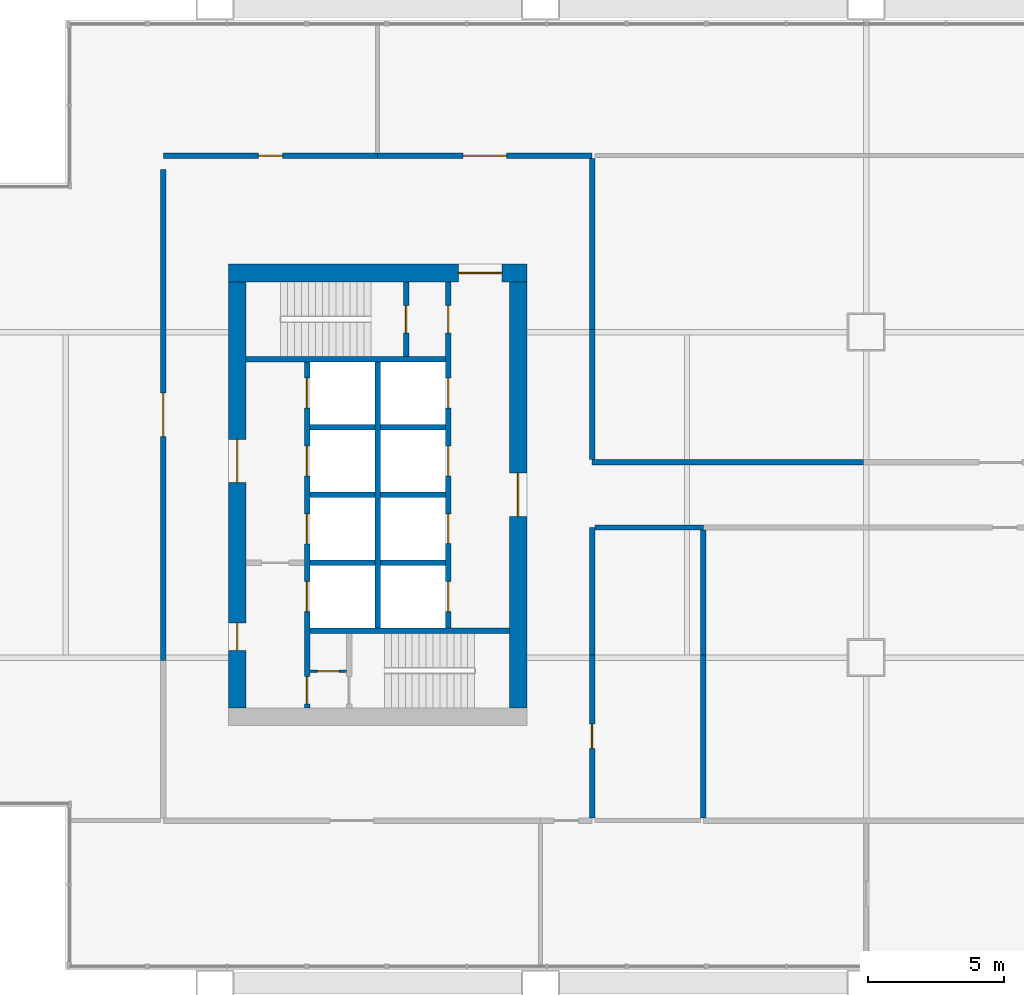
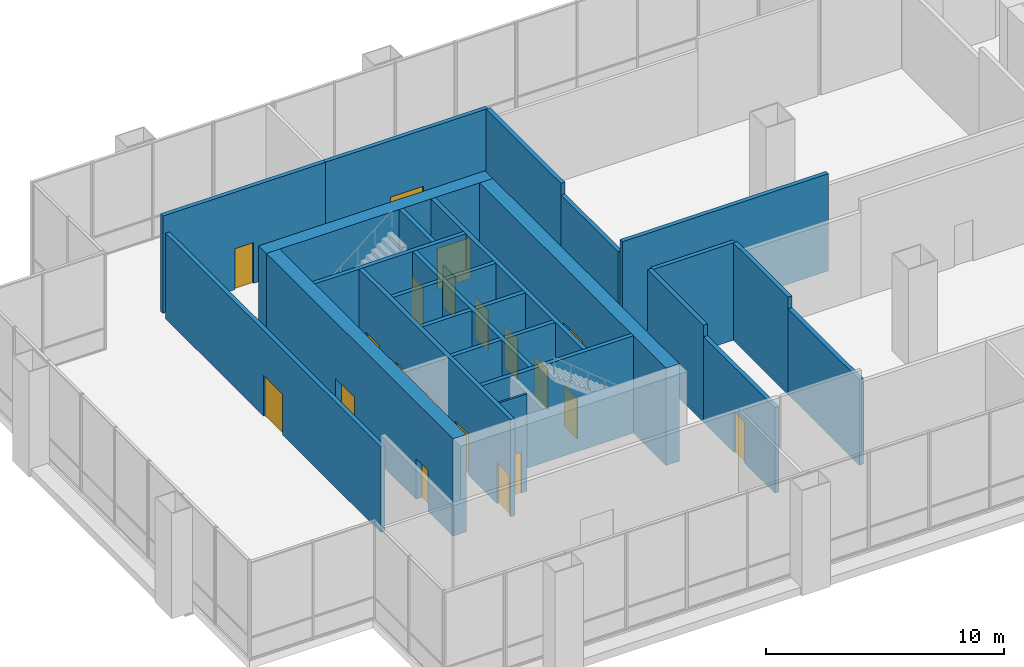
# One storey, part 15 of 20: 27 walls, 20 doors, 20 openings.
"""IFC4 building model written with IfcOpenShell, lengths in metres."""

from ifc_helpers import new_model, si_unit, direction, frame, frame_2d, origin, place, context, subcontext, project, spatial, rectangle, extrude, material, layer, layer_set, type_object, element, fill, save


model = new_model("IFC4")

# Units and contexts
model_context = context("Model", 3, precision=1e-05, world=origin(), true_north=direction((0.0, 1.0)))
body_context = subcontext(model_context, "Body", "Model", "MODEL_VIEW")
ifc_project = project(units=[si_unit("LENGTHUNIT", "METRE"), si_unit("AREAUNIT", "SQUARE_METRE"), si_unit("VOLUMEUNIT", "CUBIC_METRE"), si_unit("PLANEANGLEUNIT", "RADIAN"), si_unit("MASSUNIT", "GRAM", prefix="KILO")], contexts=[model_context])

# Site, building, storey
site_placement = place(None, origin())
site = spatial("IfcSite", under=ifc_project, at=site_placement, CompositionType="ELEMENT")
building_placement = place(site_placement, origin())
building = spatial("IfcBuilding", under=site, at=building_placement, Name="Kitamizu Gate Tower and Museum", CompositionType="ELEMENT")
storey_placement = place(building_placement, frame((0.0, 0.0, 148.35009765625)))
storey = spatial("IfcBuildingStorey", under=building, at=storey_placement, Name="L39", CompositionType="ELEMENT", Elevation=148.35009765625)

# Wall, opening, door
ifc_material_1 = material(Name="Concrete Fc60", Category="concrete")
ifc_layer_1 = layer(ifc_material_1, 0.64990234375)
ifc_layer_set_1 = layer_set([ifc_layer_1], Name="Concrete Fc60")
wall_type_1 = type_object("IfcWallType", Name="Core wall 650", PredefinedType="SHEAR", material=ifc_layer_set_1)
wall_1_placement = place(storey_placement, frame((12.5, 38.175048828125, 0.0), z_axis=(0.0, 0.0, 1.0), x_axis=(1.0, 0.0, 0.0)))
wall_1 = element("IfcWall", 1, at=wall_1_placement, inside=storey, type_object=wall_type_1, Name="Core wall WN", PredefinedType="SHEAR", context=body_context, shape_type="SweptSolid", body=[
    extrude(rectangle(XDim=11.0, YDim=0.64990234375, at=frame_2d((5.5, 0.0))), origin(), (0.0, 0.0, 1.0), 5.0),
])
opening_1_placement = place(wall_1_placement, frame((8.47509765625, 0.0, 0.0)))
opening_1 = element("IfcOpeningElement", 2, at=opening_1_placement, cuts=wall_1, Name="Opening L39-026", PredefinedType="OPENING", context=body_context, shape_type="SweptSolid", body=[
    extrude(rectangle(XDim=1.60009765625, YDim=2.10009765625, at=frame_2d((0.800048828125, 1.050048828125))), frame((0.0, 0.3349609375, 0.0), z_axis=(0.0, -1.0, 0.0), x_axis=(1.0, 0.0, 0.0)), (0.0, 0.0, 1.0), 0.669921875),
])
ifc_material_2 = material(Name="Timber door set", Category="wood")
door_type_1 = type_object("IfcDoorType", Name="Entrance door 1600", OperationType="DOUBLE_DOOR_SINGLE_SWING", PredefinedType="DOOR", material=ifc_material_2)
door_1_placement = place(opening_1_placement, origin())
door_1 = element("IfcDoor", 3, at=door_1_placement, inside=storey, type_object=door_type_1, Name="Lobby door L39-026", OperationType="DOUBLE_DOOR_SINGLE_SWING", OverallHeight=2.10009765625, OverallWidth=1.60009765625, PredefinedType="DOOR", context=body_context, shape_type="SweptSolid", body=[
    extrude(rectangle(XDim=1.60009765625, YDim=2.10009765625, at=frame_2d((0.800048828125, 1.050048828125))), frame((0.0, 0.02490234375, 0.0), z_axis=(0.0, -1.0, 0.0), x_axis=(1.0, 0.0, 0.0)), (0.0, 0.0, 1.0), 0.050048828125),
])
fill(opening_1, door_1)

# Wall, openings, doors
wall_2_placement = place(storey_placement, frame((12.824951171875, 22.14990234375, 0.0), z_axis=(0.0, 0.0, 1.0), x_axis=(0.0, 1.0, 0.0)))
wall_2 = element("IfcWall", 4, at=wall_2_placement, inside=storey, type_object=wall_type_1, Name="Core wall WOUT", PredefinedType="SHEAR", context=body_context, shape_type="SweptSolid", body=[
    extrude(rectangle(XDim=15.7001953125, YDim=0.64990234375, at=frame_2d((7.85009765625, 0.0))), origin(), (0.0, 0.0, 1.0), 5.0),
])
opening_2_placement = place(wall_2_placement, frame((8.300048828125, 0.0, 0.0)))
opening_2 = element("IfcOpeningElement", 5, at=opening_2_placement, cuts=wall_2, Name="Opening L39-024", PredefinedType="OPENING", context=body_context, shape_type="SweptSolid", body=[
    extrude(rectangle(XDim=1.60009765625, YDim=2.10009765625, at=frame_2d((0.800048828125, 1.050048828125))), frame((0.0, 0.3349609375, 0.0), z_axis=(0.0, -1.0, 0.0), x_axis=(1.0, 0.0, 0.0)), (0.0, 0.0, 1.0), 0.669921875),
])
opening_3_placement = place(wall_2_placement, frame((2.125, 0.0, 0.0)))
opening_3 = element("IfcOpeningElement", 6, at=opening_3_placement, cuts=wall_2, Name="Opening L39-025", PredefinedType="OPENING", context=body_context, shape_type="SweptSolid", body=[
    extrude(rectangle(XDim=1.0, YDim=2.10009765625, at=frame_2d((0.5, 1.050048828125))), frame((0.0, 0.3349609375, 0.0), z_axis=(0.0, -1.0, 0.0), x_axis=(1.0, 0.0, 0.0)), (0.0, 0.0, 1.0), 0.669921875),
])
door_2_placement = place(opening_2_placement, origin())
door_2 = element("IfcDoor", 7, at=door_2_placement, inside=storey, type_object=door_type_1, Name="Lobby door L39-024", OperationType="DOUBLE_DOOR_SINGLE_SWING", OverallHeight=2.10009765625, OverallWidth=1.60009765625, PredefinedType="DOOR", context=body_context, shape_type="SweptSolid", body=[
    extrude(rectangle(XDim=1.60009765625, YDim=2.10009765625, at=frame_2d((0.800048828125, 1.050048828125))), frame((0.0, 0.02490234375, 0.0), z_axis=(0.0, -1.0, 0.0), x_axis=(1.0, 0.0, 0.0)), (0.0, 0.0, 1.0), 0.050048828125),
])
fill(opening_2, door_2)
ifc_material_3 = material(Name="Hollow metal door set")
door_type_2 = type_object("IfcDoorType", Name="Fire door 1000", OperationType="NOTDEFINED", PredefinedType="DOOR", material=ifc_material_3)
door_3_placement = place(opening_3_placement, frame((1.0, 0.0, 0.0), x_axis=(-1.0, 0.0, 0.0)))
door_3 = element("IfcDoor", 8, at=door_3_placement, inside=storey, type_object=door_type_2, Name="Fire-fighting lobby door L39-025", OperationType="SINGLE_SWING_RIGHT", OverallHeight=2.10009765625, OverallWidth=1.0, PredefinedType="DOOR", context=body_context, shape_type="SweptSolid", body=[
    extrude(rectangle(XDim=1.0, YDim=2.10009765625, at=frame_2d((0.5, 1.050048828125))), frame((0.0, 0.02490234375, 0.0), z_axis=(0.0, -1.0, 0.0), x_axis=(1.0, 0.0, 0.0)), (0.0, 0.0, 1.0), 0.050048828125),
])
fill(opening_3, door_3)

# Wall, opening, door
wall_3_placement = place(storey_placement, frame((23.175048828125, 22.14990234375, 0.0), z_axis=(0.0, 0.0, 1.0), x_axis=(0.0, 1.0, 0.0)))
wall_3 = element("IfcWall", 9, at=wall_3_placement, inside=storey, type_object=wall_type_1, Name="Core wall WARC", PredefinedType="SHEAR", context=body_context, shape_type="SweptSolid", body=[
    extrude(rectangle(XDim=15.7001953125, YDim=0.64990234375, at=frame_2d((7.85009765625, 0.0))), origin(), (0.0, 0.0, 1.0), 5.0),
])
opening_4_placement = place(wall_3_placement, frame((7.050048828125, 0.0, 0.0)))
opening_4 = element("IfcOpeningElement", 10, at=opening_4_placement, cuts=wall_3, Name="Opening L39-027", PredefinedType="OPENING", context=body_context, shape_type="SweptSolid", body=[
    extrude(rectangle(XDim=1.60009765625, YDim=2.10009765625, at=frame_2d((0.800048828125, 1.050048828125))), frame((0.0, 0.3349609375, 0.0), z_axis=(0.0, -1.0, 0.0), x_axis=(1.0, 0.0, 0.0)), (0.0, 0.0, 1.0), 0.669921875),
])
door_4_placement = place(opening_4_placement, origin())
door_4 = element("IfcDoor", 11, at=door_4_placement, inside=storey, type_object=door_type_1, Name="Lobby door L39-027", OperationType="DOUBLE_DOOR_SINGLE_SWING", OverallHeight=2.10009765625, OverallWidth=1.60009765625, PredefinedType="DOOR", context=body_context, shape_type="SweptSolid", body=[
    extrude(rectangle(XDim=1.60009765625, YDim=2.10009765625, at=frame_2d((0.800048828125, 1.050048828125))), frame((0.0, 0.02490234375, 0.0), z_axis=(0.0, -1.0, 0.0), x_axis=(1.0, 0.0, 0.0)), (0.0, 0.0, 1.0), 0.050048828125),
])
fill(opening_4, door_4)

ifc_material_4 = material(Name="Gypsum board on galvanised stud")
ifc_layer_2 = layer(ifc_material_4, 0.10009765625)
ifc_layer_set_2 = layer_set([ifc_layer_2], Name="Gypsum board on galvanised stud")
wall_type_2 = type_object("IfcWallType", Name="Partition 100", PredefinedType="PARTITIONING", material=ifc_layer_set_2)
wall_4_placement = place(storey_placement, frame((15.5, 23.5, 0.0), z_axis=(0.0, 0.0, 1.0), x_axis=(1.0, 0.0, 0.0)))
wall_4 = element("IfcWall", 12, at=wall_4_placement, inside=storey, type_object=wall_type_2, Name="Partition WPZS", PredefinedType="PARTITIONING", context=body_context, shape_type="SweptSolid", body=[
    extrude(rectangle(XDim=1.35009765625, YDim=0.10009765625, at=frame_2d((0.675048828125, 0.0))), origin(), (0.0, 0.0, 1.0), 5.0),
])
opening_5_placement = place(wall_4_placement, frame((0.27490234375, 0.0, 0.0)))
opening_5 = element("IfcOpeningElement", 13, at=opening_5_placement, cuts=wall_4, Name="Opening L39-023", PredefinedType="OPENING", context=body_context, shape_type="SweptSolid", body=[
    extrude(rectangle(XDim=0.800048828125, YDim=2.10009765625, at=frame_2d((0.39990234375, 1.050048828125))), frame((0.0, 0.06005859375, 0.0), z_axis=(0.0, -1.0, 0.0), x_axis=(1.0, 0.0, 0.0)), (0.0, 0.0, 1.0), 0.1201171875),
])
ifc_material_5 = material(Name="Timber door set", Category="wood")
door_type_3 = type_object("IfcDoorType", Name="Cupboard door 800", OperationType="NOTDEFINED", PredefinedType="DOOR", material=ifc_material_5)
door_5_placement = place(opening_5_placement, frame((0.800048828125, 0.0, 0.0), x_axis=(-1.0, 0.0, 0.0)))
door_5 = element("IfcDoor", 14, at=door_5_placement, inside=storey, type_object=door_type_3, Name="Cupboard door L39-023", OperationType="SINGLE_SWING_LEFT", OverallHeight=2.10009765625, OverallWidth=0.800048828125, PredefinedType="DOOR", context=body_context, shape_type="SweptSolid", body=[
    extrude(rectangle(XDim=0.800048828125, YDim=2.10009765625, at=frame_2d((0.39990234375, 1.050048828125))), frame((0.0, 0.02490234375, 0.0), z_axis=(0.0, -1.0, 0.0), x_axis=(1.0, 0.0, 0.0)), (0.0, 0.0, 1.0), 0.050048828125),
])
fill(opening_5, door_5)

ifc_material_6 = material(Name="Gypsum board on galvanised stud")
ifc_layer_3 = layer(ifc_material_6, 0.199951171875)
ifc_layer_set_3 = layer_set([ifc_layer_3], Name="Gypsum board on galvanised stud")
wall_type_3 = type_object("IfcWallType", Name="Partition 200", PredefinedType="PARTITIONING", material=ifc_layer_set_3)
wall_5_placement = place(storey_placement, frame((18.0, 42.5, 0.0), z_axis=(0.0, 0.0, 1.0), x_axis=(-1.0, 0.0, 0.0)))
wall_5 = element("IfcWall", 15, at=wall_5_placement, inside=storey, type_object=wall_type_3, Name="Partition L39-006", PredefinedType="PARTITIONING", context=body_context, shape_type="SweptSolid", body=[
    extrude(rectangle(XDim=7.89990234375, YDim=0.199951171875, at=frame_2d((3.949951171875, 0.0))), origin(), (0.0, 0.0, 1.0), 5.0),
])
opening_6_placement = place(wall_5_placement, frame((3.5, 0.0, 0.0)))
opening_6 = element("IfcOpeningElement", 16, at=opening_6_placement, cuts=wall_5, Name="Opening L39-007", PredefinedType="OPENING", context=body_context, shape_type="SweptSolid", body=[
    extrude(rectangle(XDim=0.89990234375, YDim=2.10009765625, at=frame_2d((0.449951171875, 1.050048828125))), frame((0.0, 0.10986328125, 0.0), z_axis=(0.0, -1.0, 0.0), x_axis=(1.0, 0.0, 0.0)), (0.0, 0.0, 1.0), 0.219970703125),
])
ifc_material_7 = material(Name="Timber door set", Category="wood")
door_type_4 = type_object("IfcDoorType", Name="Room door 900", OperationType="NOTDEFINED", PredefinedType="DOOR", material=ifc_material_7)
door_6_placement = place(opening_6_placement, frame((0.89990234375, 0.0, 0.0), x_axis=(-1.0, 0.0, 0.0)))
door_6 = element("IfcDoor", 17, at=door_6_placement, inside=storey, type_object=door_type_4, Name="Door L39-007", OperationType="SINGLE_SWING_LEFT", OverallHeight=2.10009765625, OverallWidth=0.89990234375, PredefinedType="DOOR", context=body_context, shape_type="SweptSolid", body=[
    extrude(rectangle(XDim=0.89990234375, YDim=2.10009765625, at=frame_2d((0.449951171875, 1.050048828125))), frame((0.0, 0.02490234375, 0.0), z_axis=(0.0, -1.0, 0.0), x_axis=(1.0, 0.0, 0.0)), (0.0, 0.0, 1.0), 0.050048828125),
])
fill(opening_6, door_6)

wall_6_placement = place(storey_placement, frame((25.89990234375, 42.5, 0.0), z_axis=(0.0, 0.0, 1.0), x_axis=(-1.0, 0.0, 0.0)))
wall_6 = element("IfcWall", 18, at=wall_6_placement, inside=storey, type_object=wall_type_3, Name="Partition L39-007", PredefinedType="PARTITIONING", context=body_context, shape_type="SweptSolid", body=[
    extrude(rectangle(XDim=7.89990234375, YDim=0.199951171875, at=frame_2d((3.949951171875, 0.0))), origin(), (0.0, 0.0, 1.0), 5.0),
])
opening_7_placement = place(wall_6_placement, frame((3.14990234375, 0.0, 0.0)))
opening_7 = element("IfcOpeningElement", 19, at=opening_7_placement, cuts=wall_6, Name="Opening L39-008", PredefinedType="OPENING", context=body_context, shape_type="SweptSolid", body=[
    extrude(rectangle(XDim=1.60009765625, YDim=2.10009765625, at=frame_2d((0.800048828125, 1.050048828125))), frame((0.0, 0.10986328125, 0.0), z_axis=(0.0, -1.0, 0.0), x_axis=(1.0, 0.0, 0.0)), (0.0, 0.0, 1.0), 0.219970703125),
])
ifc_material_8 = material(Name="Timber door set", Category="wood")
door_type_5 = type_object("IfcDoorType", Name="Double door 1600", OperationType="DOUBLE_DOOR_SINGLE_SWING", PredefinedType="DOOR", material=ifc_material_8)
door_7_placement = place(opening_7_placement, origin())
door_7 = element("IfcDoor", 20, at=door_7_placement, inside=storey, type_object=door_type_5, Name="Double door L39-008", OperationType="DOUBLE_DOOR_SINGLE_SWING", OverallHeight=2.10009765625, OverallWidth=1.60009765625, PredefinedType="DOOR", context=body_context, shape_type="SweptSolid", body=[
    extrude(rectangle(XDim=1.60009765625, YDim=2.10009765625, at=frame_2d((0.800048828125, 1.050048828125))), frame((0.0, 0.02490234375, 0.0), z_axis=(0.0, -1.0, 0.0), x_axis=(1.0, 0.0, 0.0)), (0.0, 0.0, 1.0), 0.050048828125),
])
fill(opening_7, door_7)

wall_7_placement = place(storey_placement, frame((10.10009765625, 42.0, 0.0), z_axis=(0.0, 0.0, 1.0), x_axis=(0.0, -1.0, 0.0)))
wall_7 = element("IfcWall", 21, at=wall_7_placement, inside=storey, type_object=wall_type_3, Name="Partition L39-011", PredefinedType="PARTITIONING", context=body_context, shape_type="SweptSolid", body=[
    extrude(rectangle(XDim=18.10009765625, YDim=0.199951171875, at=frame_2d((9.050048828125, 0.0))), origin(), (0.0, 0.0, 1.0), 4.39990234375),
])
opening_8_placement = place(wall_7_placement, frame((8.25, 0.0, 0.0)))
opening_8 = element("IfcOpeningElement", 22, at=opening_8_placement, cuts=wall_7, Name="Opening L39-012", PredefinedType="OPENING", context=body_context, shape_type="SweptSolid", body=[
    extrude(rectangle(XDim=1.60009765625, YDim=2.10009765625, at=frame_2d((0.800048828125, 1.050048828125))), frame((0.0, 0.10986328125, 0.0), z_axis=(0.0, -1.0, 0.0), x_axis=(1.0, 0.0, 0.0)), (0.0, 0.0, 1.0), 0.219970703125),
])
door_8_placement = place(opening_8_placement, origin())
door_8 = element("IfcDoor", 23, at=door_8_placement, inside=storey, type_object=door_type_5, Name="Double door L39-012", OperationType="DOUBLE_DOOR_SINGLE_SWING", OverallHeight=2.10009765625, OverallWidth=1.60009765625, PredefinedType="DOOR", context=body_context, shape_type="SweptSolid", body=[
    extrude(rectangle(XDim=1.60009765625, YDim=2.10009765625, at=frame_2d((0.800048828125, 1.050048828125))), frame((0.0, 0.02490234375, 0.0), z_axis=(0.0, -1.0, 0.0), x_axis=(1.0, 0.0, 0.0)), (0.0, 0.0, 1.0), 0.050048828125),
])
fill(opening_8, door_8)

wall_8_placement = place(storey_placement, frame((25.89990234375, 18.10009765625, 0.0), z_axis=(0.0, 0.0, 1.0), x_axis=(0.0, 1.0, 0.0)))
wall_8 = element("IfcWall", 24, at=wall_8_placement, inside=storey, type_object=wall_type_3, Name="Partition L39-015", PredefinedType="PARTITIONING", context=body_context, shape_type="SweptSolid", body=[
    extrude(rectangle(XDim=6.0, YDim=0.199951171875, at=frame_2d((3.0, 0.0))), origin(), (0.0, 0.0, 1.0), 4.39990234375),
])
opening_9_placement = place(wall_8_placement, frame((2.550048828125, 0.0, 0.0)))
opening_9 = element("IfcOpeningElement", 25, at=opening_9_placement, cuts=wall_8, Name="Opening L39-015", PredefinedType="OPENING", context=body_context, shape_type="SweptSolid", body=[
    extrude(rectangle(XDim=0.89990234375, YDim=2.10009765625, at=frame_2d((0.449951171875, 1.050048828125))), frame((0.0, 0.10986328125, 0.0), z_axis=(0.0, -1.0, 0.0), x_axis=(1.0, 0.0, 0.0)), (0.0, 0.0, 1.0), 0.219970703125),
])
door_9_placement = place(opening_9_placement, frame((0.89990234375, 0.0, 0.0), x_axis=(-1.0, 0.0, 0.0)))
door_9 = element("IfcDoor", 26, at=door_9_placement, inside=storey, type_object=door_type_4, Name="Door L39-015", OperationType="SINGLE_SWING_LEFT", OverallHeight=2.10009765625, OverallWidth=0.89990234375, PredefinedType="DOOR", context=body_context, shape_type="SweptSolid", body=[
    extrude(rectangle(XDim=0.89990234375, YDim=2.10009765625, at=frame_2d((0.449951171875, 1.050048828125))), frame((0.0, 0.02490234375, 0.0), z_axis=(0.0, -1.0, 0.0), x_axis=(1.0, 0.0, 0.0)), (0.0, 0.0, 1.0), 0.050048828125),
])
fill(opening_9, door_9)

# Walls
wall_9_placement = place(storey_placement, frame((25.89990234375, 24.10009765625, 0.0), z_axis=(0.0, 0.0, 1.0), x_axis=(0.0, 1.0, 0.0)))
element("IfcWall", 27, at=wall_9_placement, inside=storey, type_object=wall_type_3, Name="Partition L39-016", PredefinedType="PARTITIONING", context=body_context, shape_type="SweptSolid", body=[
    extrude(rectangle(XDim=4.699951171875, YDim=0.199951171875, at=frame_2d((2.35009765625, 0.0))), origin(), (0.0, 0.0, 1.0), 5.0),
])
wall_10_placement = place(storey_placement, frame((26.0, 28.800048828125, 0.0), z_axis=(0.0, 0.0, 1.0), x_axis=(1.0, 0.0, 0.0)))
element("IfcWall", 28, at=wall_10_placement, inside=storey, type_object=wall_type_3, Name="Partition L39-017", PredefinedType="PARTITIONING", context=body_context, shape_type="SweptSolid", body=[
    extrude(rectangle(XDim=4.0, YDim=0.199951171875, at=frame_2d((2.0, 0.0))), origin(), (0.0, 0.0, 1.0), 5.0),
])
wall_11_placement = place(storey_placement, frame((35.89990234375, 31.199951171875, 0.0), z_axis=(0.0, 0.0, 1.0), x_axis=(-1.0, 0.0, 0.0)))
element("IfcWall", 29, at=wall_11_placement, inside=storey, type_object=wall_type_3, Name="Partition L39-025", PredefinedType="PARTITIONING", context=body_context, shape_type="SweptSolid", body=[
    extrude(rectangle(XDim=10.0, YDim=0.199951171875, at=frame_2d((5.0, 0.0))), origin(), (0.0, 0.0, 1.0), 5.0),
])
wall_12_placement = place(storey_placement, frame((25.89990234375, 31.300048828125, 0.0), z_axis=(0.0, 0.0, 1.0), x_axis=(0.0, 1.0, 0.0)))
element("IfcWall", 30, at=wall_12_placement, inside=storey, type_object=wall_type_3, Name="Partition L39-026", PredefinedType="PARTITIONING", context=body_context, shape_type="SweptSolid", body=[
    extrude(rectangle(XDim=4.800048828125, YDim=0.199951171875, at=frame_2d((2.39990234375, 0.0))), origin(), (0.0, 0.0, 1.0), 4.39990234375),
])
wall_13_placement = place(storey_placement, frame((25.89990234375, 36.10009765625, 0.0), z_axis=(0.0, 0.0, 1.0), x_axis=(0.0, 1.0, 0.0)))
element("IfcWall", 31, at=wall_13_placement, inside=storey, type_object=wall_type_3, Name="Partition L39-027", PredefinedType="PARTITIONING", context=body_context, shape_type="SweptSolid", body=[
    extrude(rectangle(XDim=6.2998046875, YDim=0.199951171875, at=frame_2d((3.14990234375, 0.0))), origin(), (0.0, 0.0, 1.0), 5.0),
])
wall_14_placement = place(storey_placement, frame((30.0, 18.10009765625, 0.0), z_axis=(0.0, 0.0, 1.0), x_axis=(0.0, 1.0, 0.0)))
element("IfcWall", 32, at=wall_14_placement, inside=storey, type_object=wall_type_3, Name="Partition L39-048", PredefinedType="PARTITIONING", context=body_context, shape_type="SweptSolid", body=[
    extrude(rectangle(XDim=6.0, YDim=0.199951171875, at=frame_2d((3.0, 0.0))), origin(), (0.0, 0.0, 1.0), 4.39990234375),
])
wall_15_placement = place(storey_placement, frame((30.0, 24.10009765625, 0.0), z_axis=(0.0, 0.0, 1.0), x_axis=(0.0, 1.0, 0.0)))
element("IfcWall", 33, at=wall_15_placement, inside=storey, type_object=wall_type_3, Name="Partition L39-049", PredefinedType="PARTITIONING", context=body_context, shape_type="SweptSolid", body=[
    extrude(rectangle(XDim=4.599853515625, YDim=0.199951171875, at=frame_2d((2.2998046875, 0.0))), origin(), (0.0, 0.0, 1.0), 5.0),
])

# Wall, openings, doors
ifc_material_9 = material(Name="Concrete Fc42", Category="concrete")
ifc_layer_4 = layer(ifc_material_9, 0.199951171875)
ifc_layer_set_4 = layer_set([ifc_layer_4], Name="Concrete Fc42")
wall_type_4 = type_object("IfcWallType", Name="Shaft wall 200", PredefinedType="SOLIDWALL", material=ifc_layer_set_4)
wall_16_placement = place(storey_placement, frame((15.39990234375, 22.14990234375, 0.0), z_axis=(0.0, 0.0, 1.0), x_axis=(0.0, 1.0, 0.0)))
wall_16 = element("IfcWall", 34, at=wall_16_placement, inside=storey, type_object=wall_type_4, Name="Shaft wall WWEST", PredefinedType="SOLIDWALL", context=body_context, shape_type="SweptSolid", body=[
    extrude(rectangle(XDim=12.75, YDim=0.199951171875, at=frame_2d((6.375, 0.0))), origin(), (0.0, 0.0, 1.0), 5.0),
])
opening_10_placement = place(wall_16_placement, frame((3.550048828125, 0.0, 0.0)))
opening_10 = element("IfcOpeningElement", 35, at=opening_10_placement, cuts=wall_16, Name="Opening LD", PredefinedType="OPENING", context=body_context, shape_type="SweptSolid", body=[
    extrude(rectangle(XDim=1.10009765625, YDim=2.10009765625, at=frame_2d((0.550048828125, 1.050048828125))), frame((0.0, 0.10986328125, 0.0), z_axis=(0.0, -1.0, 0.0), x_axis=(1.0, 0.0, 0.0)), (0.0, 0.0, 1.0), 0.219970703125),
])
opening_11_placement = place(wall_16_placement, frame((6.050048828125, 0.0, 0.0)))
opening_11 = element("IfcOpeningElement", 36, at=opening_11_placement, cuts=wall_16, Name="Opening LD", PredefinedType="OPENING", context=body_context, shape_type="SweptSolid", body=[
    extrude(rectangle(XDim=1.10009765625, YDim=2.10009765625, at=frame_2d((0.550048828125, 1.050048828125))), frame((0.0, 0.10986328125, 0.0), z_axis=(0.0, -1.0, 0.0), x_axis=(1.0, 0.0, 0.0)), (0.0, 0.0, 1.0), 0.219970703125),
])
opening_12_placement = place(wall_16_placement, frame((8.550048828125, 0.0, 0.0)))
opening_12 = element("IfcOpeningElement", 37, at=opening_12_placement, cuts=wall_16, Name="Opening LD", PredefinedType="OPENING", context=body_context, shape_type="SweptSolid", body=[
    extrude(rectangle(XDim=1.10009765625, YDim=2.10009765625, at=frame_2d((0.550048828125, 1.050048828125))), frame((0.0, 0.10986328125, 0.0), z_axis=(0.0, -1.0, 0.0), x_axis=(1.0, 0.0, 0.0)), (0.0, 0.0, 1.0), 0.219970703125),
])
opening_13_placement = place(wall_16_placement, frame((11.050048828125, 0.0, 0.0)))
opening_13 = element("IfcOpeningElement", 38, at=opening_13_placement, cuts=wall_16, Name="Opening LD", PredefinedType="OPENING", context=body_context, shape_type="SweptSolid", body=[
    extrude(rectangle(XDim=1.10009765625, YDim=2.10009765625, at=frame_2d((0.550048828125, 1.050048828125))), frame((0.0, 0.10986328125, 0.0), z_axis=(0.0, -1.0, 0.0), x_axis=(1.0, 0.0, 0.0)), (0.0, 0.0, 1.0), 0.219970703125),
])
opening_14_placement = place(wall_16_placement, frame((0.14990234375, 0.0, 0.0)))
opening_14 = element("IfcOpeningElement", 39, at=opening_14_placement, cuts=wall_16, Name="Opening L39-019", PredefinedType="OPENING", context=body_context, shape_type="SweptSolid", body=[
    extrude(rectangle(XDim=1.0, YDim=2.10009765625, at=frame_2d((0.5, 1.050048828125))), frame((0.0, 0.10986328125, 0.0), z_axis=(0.0, -1.0, 0.0), x_axis=(1.0, 0.0, 0.0)), (0.0, 0.0, 1.0), 0.219970703125),
])
door_10_placement = place(opening_14_placement, frame((1.0, 0.0, 0.0), x_axis=(-1.0, 0.0, 0.0)))
door_10 = element("IfcDoor", 40, at=door_10_placement, inside=storey, type_object=door_type_2, Name="Stair lobby door L39-019", OperationType="SINGLE_SWING_LEFT", OverallHeight=2.10009765625, OverallWidth=1.0, PredefinedType="DOOR", context=body_context, shape_type="SweptSolid", body=[
    extrude(rectangle(XDim=1.0, YDim=2.10009765625, at=frame_2d((0.5, 1.050048828125))), frame((0.0, 0.02490234375, 0.0), z_axis=(0.0, -1.0, 0.0), x_axis=(1.0, 0.0, 0.0)), (0.0, 0.0, 1.0), 0.050048828125),
])
fill(opening_14, door_10)
ifc_material_10 = material(Name="Hollow metal door set")
door_type_6 = type_object("IfcDoorType", Name="Landing door 1100", OperationType="SLIDING_TO_LEFT", PredefinedType="DOOR", material=ifc_material_10)
door_11_placement = place(opening_10_placement, origin())
door_11 = element("IfcDoor", 41, at=door_11_placement, inside=storey, type_object=door_type_6, Name="Landing door WFF1", OperationType="SLIDING_TO_LEFT", OverallHeight=2.10009765625, OverallWidth=1.10009765625, PredefinedType="DOOR", context=body_context, shape_type="SweptSolid", body=[
    extrude(rectangle(XDim=1.10009765625, YDim=2.10009765625, at=frame_2d((0.550048828125, 1.050048828125))), frame((0.0, 0.02490234375, 0.0), z_axis=(0.0, -1.0, 0.0), x_axis=(1.0, 0.0, 0.0)), (0.0, 0.0, 1.0), 0.050048828125),
])
fill(opening_10, door_11)
door_12_placement = place(opening_11_placement, origin())
door_12 = element("IfcDoor", 42, at=door_12_placement, inside=storey, type_object=door_type_6, Name="Landing door WL1", OperationType="SLIDING_TO_LEFT", OverallHeight=2.10009765625, OverallWidth=1.10009765625, PredefinedType="DOOR", context=body_context, shape_type="SweptSolid", body=[
    extrude(rectangle(XDim=1.10009765625, YDim=2.10009765625, at=frame_2d((0.550048828125, 1.050048828125))), frame((0.0, 0.02490234375, 0.0), z_axis=(0.0, -1.0, 0.0), x_axis=(1.0, 0.0, 0.0)), (0.0, 0.0, 1.0), 0.050048828125),
])
fill(opening_11, door_12)
door_13_placement = place(opening_12_placement, origin())
door_13 = element("IfcDoor", 43, at=door_13_placement, inside=storey, type_object=door_type_6, Name="Landing door WL2", OperationType="SLIDING_TO_LEFT", OverallHeight=2.10009765625, OverallWidth=1.10009765625, PredefinedType="DOOR", context=body_context, shape_type="SweptSolid", body=[
    extrude(rectangle(XDim=1.10009765625, YDim=2.10009765625, at=frame_2d((0.550048828125, 1.050048828125))), frame((0.0, 0.02490234375, 0.0), z_axis=(0.0, -1.0, 0.0), x_axis=(1.0, 0.0, 0.0)), (0.0, 0.0, 1.0), 0.050048828125),
])
fill(opening_12, door_13)
door_14_placement = place(opening_13_placement, origin())
door_14 = element("IfcDoor", 44, at=door_14_placement, inside=storey, type_object=door_type_6, Name="Landing door WL3", OperationType="SLIDING_TO_LEFT", OverallHeight=2.10009765625, OverallWidth=1.10009765625, PredefinedType="DOOR", context=body_context, shape_type="SweptSolid", body=[
    extrude(rectangle(XDim=1.10009765625, YDim=2.10009765625, at=frame_2d((0.550048828125, 1.050048828125))), frame((0.0, 0.02490234375, 0.0), z_axis=(0.0, -1.0, 0.0), x_axis=(1.0, 0.0, 0.0)), (0.0, 0.0, 1.0), 0.050048828125),
])
fill(opening_13, door_14)

wall_17_placement = place(storey_placement, frame((20.60009765625, 25.10009765625, 0.0), z_axis=(0.0, 0.0, 1.0), x_axis=(0.0, 1.0, 0.0)))
wall_17 = element("IfcWall", 45, at=wall_17_placement, inside=storey, type_object=wall_type_4, Name="Shaft wall WEAST", PredefinedType="SOLIDWALL", context=body_context, shape_type="SweptSolid", body=[
    extrude(rectangle(XDim=12.75, YDim=0.199951171875, at=frame_2d((6.375, 0.0))), origin(), (0.0, 0.0, 1.0), 5.0),
])
opening_15_placement = place(wall_17_placement, frame((0.60009765625, 0.0, 0.0)))
opening_15 = element("IfcOpeningElement", 46, at=opening_15_placement, cuts=wall_17, Name="Opening LD", PredefinedType="OPENING", context=body_context, shape_type="SweptSolid", body=[
    extrude(rectangle(XDim=1.10009765625, YDim=2.10009765625, at=frame_2d((0.550048828125, 1.050048828125))), frame((0.0, 0.10986328125, 0.0), z_axis=(0.0, -1.0, 0.0), x_axis=(1.0, 0.0, 0.0)), (0.0, 0.0, 1.0), 0.219970703125),
])
opening_16_placement = place(wall_17_placement, frame((3.10009765625, 0.0, 0.0)))
opening_16 = element("IfcOpeningElement", 47, at=opening_16_placement, cuts=wall_17, Name="Opening LD", PredefinedType="OPENING", context=body_context, shape_type="SweptSolid", body=[
    extrude(rectangle(XDim=1.10009765625, YDim=2.10009765625, at=frame_2d((0.550048828125, 1.050048828125))), frame((0.0, 0.10986328125, 0.0), z_axis=(0.0, -1.0, 0.0), x_axis=(1.0, 0.0, 0.0)), (0.0, 0.0, 1.0), 0.219970703125),
])
opening_17_placement = place(wall_17_placement, frame((5.60009765625, 0.0, 0.0)))
opening_17 = element("IfcOpeningElement", 48, at=opening_17_placement, cuts=wall_17, Name="Opening LD", PredefinedType="OPENING", context=body_context, shape_type="SweptSolid", body=[
    extrude(rectangle(XDim=1.10009765625, YDim=2.10009765625, at=frame_2d((0.550048828125, 1.050048828125))), frame((0.0, 0.10986328125, 0.0), z_axis=(0.0, -1.0, 0.0), x_axis=(1.0, 0.0, 0.0)), (0.0, 0.0, 1.0), 0.219970703125),
])
opening_18_placement = place(wall_17_placement, frame((8.10009765625, 0.0, 0.0)))
opening_18 = element("IfcOpeningElement", 49, at=opening_18_placement, cuts=wall_17, Name="Opening LD", PredefinedType="OPENING", context=body_context, shape_type="SweptSolid", body=[
    extrude(rectangle(XDim=1.10009765625, YDim=2.10009765625, at=frame_2d((0.550048828125, 1.050048828125))), frame((0.0, 0.10986328125, 0.0), z_axis=(0.0, -1.0, 0.0), x_axis=(1.0, 0.0, 0.0)), (0.0, 0.0, 1.0), 0.219970703125),
])
opening_19_placement = place(wall_17_placement, frame((10.875, 0.0, 0.0)))
opening_19 = element("IfcOpeningElement", 50, at=opening_19_placement, cuts=wall_17, Name="Opening L39-020", PredefinedType="OPENING", context=body_context, shape_type="SweptSolid", body=[
    extrude(rectangle(XDim=1.0, YDim=2.10009765625, at=frame_2d((0.5, 1.050048828125))), frame((0.0, 0.10986328125, 0.0), z_axis=(0.0, -1.0, 0.0), x_axis=(1.0, 0.0, 0.0)), (0.0, 0.0, 1.0), 0.219970703125),
])
door_15_placement = place(opening_19_placement, origin())
door_15 = element("IfcDoor", 51, at=door_15_placement, inside=storey, type_object=door_type_2, Name="Stair lobby door L39-020", OperationType="SINGLE_SWING_LEFT", OverallHeight=2.10009765625, OverallWidth=1.0, PredefinedType="DOOR", context=body_context, shape_type="SweptSolid", body=[
    extrude(rectangle(XDim=1.0, YDim=2.10009765625, at=frame_2d((0.5, 1.050048828125))), frame((0.0, 0.02490234375, 0.0), z_axis=(0.0, -1.0, 0.0), x_axis=(1.0, 0.0, 0.0)), (0.0, 0.0, 1.0), 0.050048828125),
])
fill(opening_19, door_15)
door_16_placement = place(opening_15_placement, origin())
door_16 = element("IfcDoor", 52, at=door_16_placement, inside=storey, type_object=door_type_6, Name="Landing door WSV1", OperationType="SLIDING_TO_LEFT", OverallHeight=2.10009765625, OverallWidth=1.10009765625, PredefinedType="DOOR", context=body_context, shape_type="SweptSolid", body=[
    extrude(rectangle(XDim=1.10009765625, YDim=2.10009765625, at=frame_2d((0.550048828125, 1.050048828125))), frame((0.0, 0.02490234375, 0.0), z_axis=(0.0, -1.0, 0.0), x_axis=(1.0, 0.0, 0.0)), (0.0, 0.0, 1.0), 0.050048828125),
])
fill(opening_15, door_16)
door_17_placement = place(opening_16_placement, origin())
door_17 = element("IfcDoor", 53, at=door_17_placement, inside=storey, type_object=door_type_6, Name="Landing door WH1", OperationType="SLIDING_TO_LEFT", OverallHeight=2.10009765625, OverallWidth=1.10009765625, PredefinedType="DOOR", context=body_context, shape_type="SweptSolid", body=[
    extrude(rectangle(XDim=1.10009765625, YDim=2.10009765625, at=frame_2d((0.550048828125, 1.050048828125))), frame((0.0, 0.02490234375, 0.0), z_axis=(0.0, -1.0, 0.0), x_axis=(1.0, 0.0, 0.0)), (0.0, 0.0, 1.0), 0.050048828125),
])
fill(opening_16, door_17)
door_18_placement = place(opening_17_placement, origin())
door_18 = element("IfcDoor", 54, at=door_18_placement, inside=storey, type_object=door_type_6, Name="Landing door WH2", OperationType="SLIDING_TO_LEFT", OverallHeight=2.10009765625, OverallWidth=1.10009765625, PredefinedType="DOOR", context=body_context, shape_type="SweptSolid", body=[
    extrude(rectangle(XDim=1.10009765625, YDim=2.10009765625, at=frame_2d((0.550048828125, 1.050048828125))), frame((0.0, 0.02490234375, 0.0), z_axis=(0.0, -1.0, 0.0), x_axis=(1.0, 0.0, 0.0)), (0.0, 0.0, 1.0), 0.050048828125),
])
fill(opening_17, door_18)
door_19_placement = place(opening_18_placement, origin())
door_19 = element("IfcDoor", 55, at=door_19_placement, inside=storey, type_object=door_type_6, Name="Landing door WH3", OperationType="SLIDING_TO_LEFT", OverallHeight=2.10009765625, OverallWidth=1.10009765625, PredefinedType="DOOR", context=body_context, shape_type="SweptSolid", body=[
    extrude(rectangle(XDim=1.10009765625, YDim=2.10009765625, at=frame_2d((0.550048828125, 1.050048828125))), frame((0.0, 0.02490234375, 0.0), z_axis=(0.0, -1.0, 0.0), x_axis=(1.0, 0.0, 0.0)), (0.0, 0.0, 1.0), 0.050048828125),
])
fill(opening_18, door_19)

# Walls
wall_18_placement = place(storey_placement, frame((18.0, 25.10009765625, 0.0), z_axis=(0.0, 0.0, 1.0), x_axis=(0.0, 1.0, 0.0)))
element("IfcWall", 56, at=wall_18_placement, inside=storey, type_object=wall_type_4, Name="Shaft wall WMID", PredefinedType="SOLIDWALL", context=body_context, shape_type="SweptSolid", body=[
    extrude(rectangle(XDim=9.7998046875, YDim=0.199951171875, at=frame_2d((4.89990234375, 0.0))), origin(), (0.0, 0.0, 1.0), 5.0),
])
for number, where, z_axis, x_axis, name in (
    (57, (15.5, 25.0, 0.0), (0.0, 0.0, 1.0), (1.0, 0.0, 0.0), "Shaft wall WSB"),
    (58, (13.14990234375, 35.0, 0.0), (0.0, 0.0, 1.0), (1.0, 0.0, 0.0), "Shaft wall WNB"),
):
    element("IfcWall", number, at=place(storey_placement, frame(where, z_axis=z_axis, x_axis=x_axis)), inside=storey, type_object=wall_type_4, Name=name, PredefinedType="SOLIDWALL", context=body_context, shape_type="SweptSolid", body=[
        extrude(rectangle(XDim=7.35009765625, YDim=0.199951171875, at=frame_2d((3.675048828125, 0.0))), origin(), (0.0, 0.0, 1.0), 5.0),
    ])

# Wall, opening, door
wall_19_placement = place(storey_placement, frame((19.050048828125, 35.10009765625, 0.0), z_axis=(0.0, 0.0, 1.0), x_axis=(0.0, 1.0, 0.0)))
wall_19 = element("IfcWall", 59, at=wall_19_placement, inside=storey, type_object=wall_type_4, Name="Shaft wall WNZ", PredefinedType="SOLIDWALL", context=body_context, shape_type="SweptSolid", body=[
    extrude(rectangle(XDim=2.75, YDim=0.199951171875, at=frame_2d((1.375, 0.0))), origin(), (0.0, 0.0, 1.0), 5.0),
])
opening_20_placement = place(wall_19_placement, frame((0.875, 0.0, 0.0)))
opening_20 = element("IfcOpeningElement", 60, at=opening_20_placement, cuts=wall_19, Name="Opening L39-021", PredefinedType="OPENING", context=body_context, shape_type="SweptSolid", body=[
    extrude(rectangle(XDim=1.0, YDim=2.10009765625, at=frame_2d((0.5, 1.050048828125))), frame((0.0, 0.10986328125, 0.0), z_axis=(0.0, -1.0, 0.0), x_axis=(1.0, 0.0, 0.0)), (0.0, 0.0, 1.0), 0.219970703125),
])
door_20_placement = place(opening_20_placement, origin())
door_20 = element("IfcDoor", 61, at=door_20_placement, inside=storey, type_object=door_type_2, Name="Stair door L39-021", OperationType="SINGLE_SWING_RIGHT", OverallHeight=2.10009765625, OverallWidth=1.0, PredefinedType="DOOR", context=body_context, shape_type="SweptSolid", body=[
    extrude(rectangle(XDim=1.0, YDim=2.10009765625, at=frame_2d((0.5, 1.050048828125))), frame((0.0, 0.02490234375, 0.0), z_axis=(0.0, -1.0, 0.0), x_axis=(1.0, 0.0, 0.0)), (0.0, 0.0, 1.0), 0.050048828125),
])
fill(opening_20, door_20)

# Walls
for number, where, z_axis, x_axis, name in (
    (62, (15.5, 27.5, 0.0), (0.0, 0.0, 1.0), (1.0, 0.0, 0.0), "Shaft wall WDVW0"),
    (63, (15.5, 30.0, 0.0), (0.0, 0.0, 1.0), (1.0, 0.0, 0.0), "Shaft wall WDVW1"),
    (64, (15.5, 32.5, 0.0), (0.0, 0.0, 1.0), (1.0, 0.0, 0.0), "Shaft wall WDVW2"),
    (65, (18.10009765625, 27.5, 0.0), (0.0, 0.0, 1.0), (1.0, 0.0, 0.0), "Shaft wall WDVE0"),
    (66, (18.10009765625, 30.0, 0.0), (0.0, 0.0, 1.0), (1.0, 0.0, 0.0), "Shaft wall WDVE1"),
    (67, (18.10009765625, 32.5, 0.0), (0.0, 0.0, 1.0), (1.0, 0.0, 0.0), "Shaft wall WDVE2"),
):
    element("IfcWall", number, at=place(storey_placement, frame(where, z_axis=z_axis, x_axis=x_axis)), inside=storey, type_object=wall_type_4, Name=name, PredefinedType="SOLIDWALL", context=body_context, shape_type="SweptSolid", body=[
        extrude(rectangle(XDim=2.39990234375, YDim=0.199951171875, at=frame_2d((1.199951171875, 0.0))), origin(), (0.0, 0.0, 1.0), 5.0),
    ])

save(model, "model.ifc")
